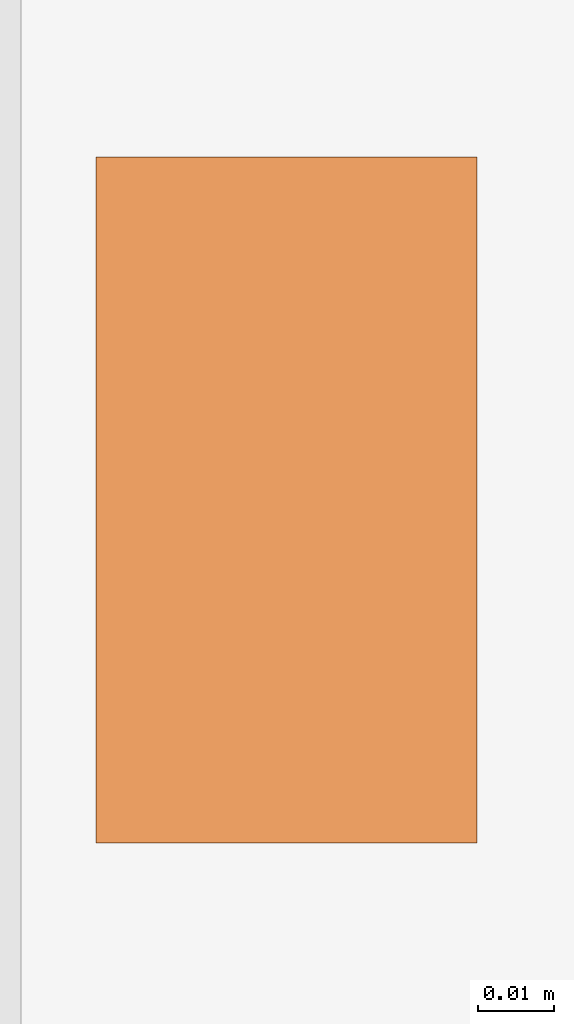
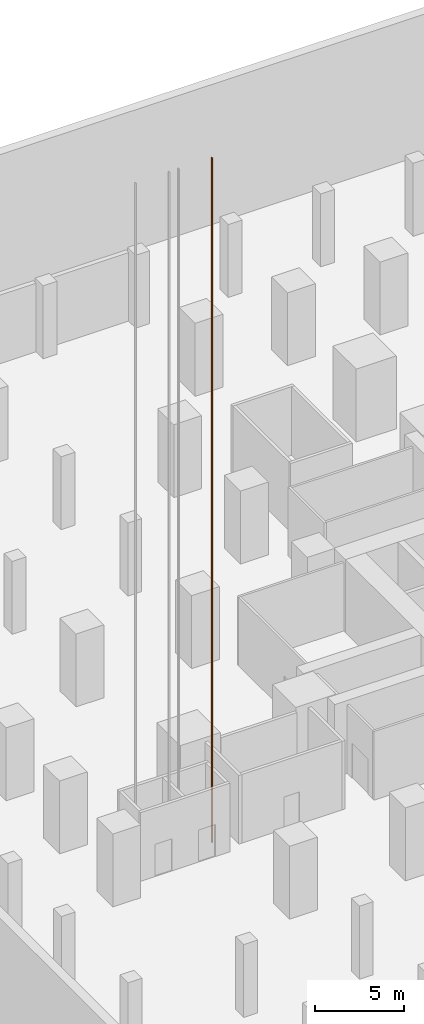
# One storey, part 27 of 31: 1 proxy.
"""IFC4 building model written with IfcOpenShell, lengths in metres."""

from ifc_helpers import new_model, si_unit, direction, frame, origin, origin_2d, place, context, subcontext, project, spatial, rectangle, extrude, material, element, save


model = new_model("IFC4")

# Units and contexts
model_context = context("Model", 3, precision=1e-05, world=origin(), true_north=direction((0.0, 1.0)))
body_context = subcontext(model_context, "Body", "Model", "MODEL_VIEW")
ifc_project = project(units=[si_unit("LENGTHUNIT", "METRE"), si_unit("AREAUNIT", "SQUARE_METRE"), si_unit("VOLUMEUNIT", "CUBIC_METRE"), si_unit("PLANEANGLEUNIT", "RADIAN"), si_unit("MASSUNIT", "GRAM", prefix="KILO")], contexts=[model_context])

# Site, building, storey
site_placement = place(None, origin())
site = spatial("IfcSite", under=ifc_project, at=site_placement, CompositionType="ELEMENT")
building_placement = place(site_placement, origin())
building = spatial("IfcBuilding", under=site, at=building_placement, Name="Mizan Broadcast Tower", CompositionType="ELEMENT")
storey_placement = place(building_placement, frame((0.0, 0.0, -10.0)))
storey = spatial("IfcBuildingStorey", under=building, at=storey_placement, Name="B2", CompositionType="ELEMENT", Elevation=-10.0)

# Proxy
ifc_material = material(Name="Steel guide rail", Category="steel")
proxy_placement = place(storey_placement, frame((-27.9150390625, -4.199951171875, 0.0), z_axis=(0.0, 0.0, 1.0), x_axis=(1.0, 0.0, 0.0)))
element("IfcBuildingElementProxy", 1, at=proxy_placement, inside=storey, material=ifc_material, Name="Guide rail PL1-2", PredefinedType="NOTDEFINED", context=body_context, shape_type="SweptSolid", body=[
    extrude(rectangle(XDim=0.050048828125, YDim=0.090087890625, at=origin_2d()), origin(), (0.0, 0.0, 1.0), 46.949951171875),
])

save(model, "model.ifc")
